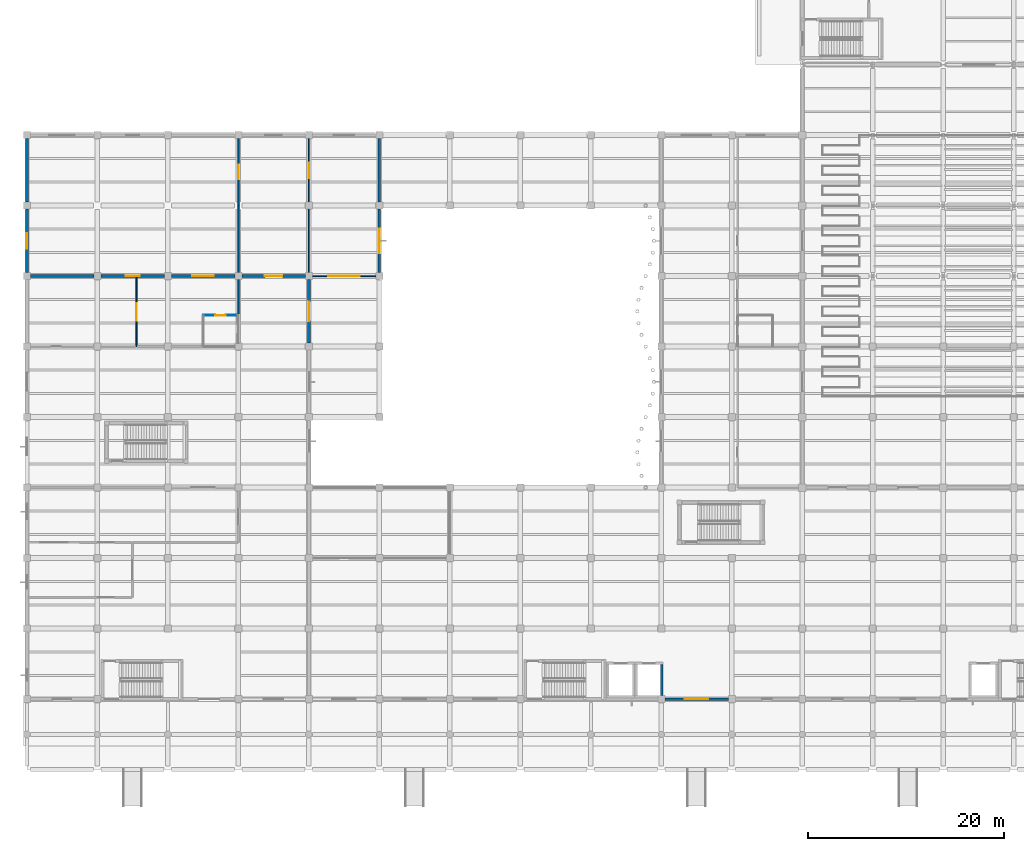
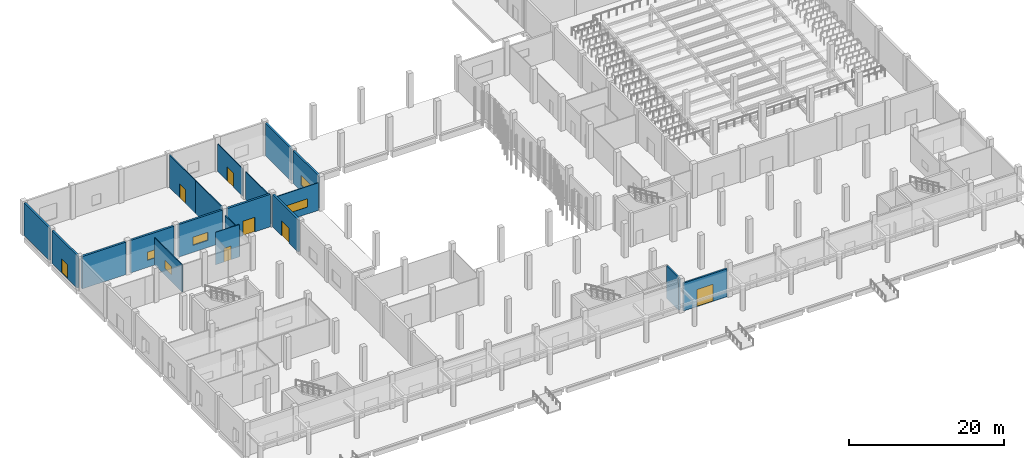
# One storey, part 24 of 46: 19 walls, 7 doors, 5 windows, 12 openings.
"""IFC4 building model written with IfcOpenShell, lengths in metres."""

from ifc_helpers import new_model, si_unit, direction, frame, frame_2d, origin, place, context, subcontext, project, spatial, rectangle, extrude, material, layer, layer_set, type_object, element, fill, save


model = new_model("IFC4")

# Units and contexts
model_context = context("Model", 3, precision=1e-05, world=origin(), true_north=direction((0.0, 1.0)))
body_context = subcontext(model_context, "Body", "Model", "MODEL_VIEW")
ifc_project = project(units=[si_unit("LENGTHUNIT", "METRE"), si_unit("AREAUNIT", "SQUARE_METRE"), si_unit("VOLUMEUNIT", "CUBIC_METRE"), si_unit("PLANEANGLEUNIT", "RADIAN"), si_unit("MASSUNIT", "GRAM", prefix="KILO"), si_unit("THERMODYNAMICTEMPERATUREUNIT", "KELVIN"), si_unit("POWERUNIT", "WATT")], contexts=[model_context])

# Site, building, storey
site_placement = place(None, origin())
site = spatial("IfcSite", under=ifc_project, at=site_placement, CompositionType="ELEMENT")
building_placement = place(site_placement, origin())
building = spatial("IfcBuilding", under=site, at=building_placement, Name="Kaldorven Railside Theatre", CompositionType="ELEMENT")
storey_placement = place(building_placement, origin())
storey = spatial("IfcBuildingStorey", under=building, at=storey_placement, Name="L00", CompositionType="ELEMENT", Elevation=0.0)

# Wall, opening, door
ifc_material_1 = material(Name="Architectural concrete C40/50", Category="concrete")
ifc_layer_1 = layer(ifc_material_1, 0.320068359375, Name="Architectural concrete C40/50")
ifc_layer_set_1 = layer_set([ifc_layer_1], Name="Architectural concrete C40/50")
wall_type_1 = type_object("IfcWallType", Name="WL-EW04", PredefinedType="SOLIDWALL", material=ifc_layer_set_1)
wall_1_placement = place(storey_placement, frame((36.800048828125, 62.050048828125, 0.0), z_axis=(0.0, 0.0, 1.0), x_axis=(0.0, -1.0, 0.0)))
wall_1 = element("IfcWall", 1, at=wall_1_placement, inside=storey, type_object=wall_type_1, Name="V3 L00 Exterior Wall EW-0141", PredefinedType="SOLIDWALL", context=body_context, shape_type="SweptSolid", body=[
    extrude(rectangle(XDim=6.5, YDim=0.320068359375, at=frame_2d((3.25, 0.0))), origin(), (0.0, 0.0, 1.0), 5.1201171875),
])
opening_1_placement = place(wall_1_placement, frame((2.25, 0.0, 0.0)))
opening_1 = element("IfcOpeningElement", 2, at=opening_1_placement, cuts=wall_1, Name="Opening ID-0089", PredefinedType="OPENING", context=body_context, shape_type="SweptSolid", body=[
    extrude(rectangle(XDim=2.0, YDim=2.35009765625, at=frame_2d((1.0, 1.175048828125))), frame((0.0, 0.169921875, 0.0), z_axis=(0.0, -1.0, 0.0), x_axis=(1.0, 0.0, 0.0)), (0.0, 0.0, 1.0), 0.340087890625),
])
ifc_material_2 = material(Name="Acoustic hardwood timber", Category="wood")
door_type_1 = type_object("IfcDoorType", Name="DR-ID-AUD2", OperationType="NOTDEFINED", PredefinedType="DOOR", material=ifc_material_2)
door_1_placement = place(opening_1_placement, origin())
door_1 = element("IfcDoor", 3, at=door_1_placement, inside=storey, type_object=door_type_1, Name="L00 Studio-to-Court-Arcade Portal", OperationType="DOUBLE_DOOR_SINGLE_SWING", OverallHeight=2.35009765625, OverallWidth=2.0, PredefinedType="DOOR", context=body_context, shape_type="SweptSolid", body=[
    extrude(rectangle(XDim=2.0, YDim=2.35009765625, at=frame_2d((1.0, 1.175048828125))), frame((0.0, 0.02490234375, 0.0), z_axis=(0.0, -1.0, 0.0), x_axis=(1.0, 0.0, 0.0)), (0.0, 0.0, 1.0), 0.050048828125),
])
fill(opening_1, door_1)

ifc_layer_2 = layer(ifc_material_1, 0.280029296875, Name="Architectural concrete C40/50")
ifc_layer_set_2 = layer_set([ifc_layer_2], Name="Architectural concrete C40/50")
wall_type_2 = type_object("IfcWallType", Name="WL-EW05", PredefinedType="SOLIDWALL", material=ifc_layer_set_2)
wall_2_placement = place(storey_placement, frame((8.0, 62.75, 0.0), z_axis=(0.0, 0.0, 1.0), x_axis=(0.0, 1.0, 0.0)))
wall_2 = element("IfcWall", 4, at=wall_2_placement, inside=storey, type_object=wall_type_2, Name="V4 L00 Exterior Wall EW-0177", PredefinedType="SOLIDWALL", context=body_context, shape_type="SweptSolid", body=[
    extrude(rectangle(XDim=6.5, YDim=0.280029296875, at=frame_2d((3.25, 0.0))), origin(), (0.0, 0.0, 1.0), 5.14990234375),
])
opening_2_placement = place(wall_2_placement, frame((2.449951171875, 0.0, 0.0)))
opening_2 = element("IfcOpeningElement", 5, at=opening_2_placement, cuts=wall_2, Name="Opening ED-005", PredefinedType="OPENING", context=body_context, shape_type="SweptSolid", body=[
    extrude(rectangle(XDim=1.60009765625, YDim=2.199951171875, at=frame_2d((0.800048828125, 1.10009765625))), frame((0.0, 0.14990234375, 0.0), z_axis=(0.0, -1.0, 0.0), x_axis=(1.0, 0.0, 0.0)), (0.0, 0.0, 1.0), 0.300048828125),
])
ifc_material_3 = material(Name="Anodised bronze aluminium", Category="aluminium")
door_type_2 = type_object("IfcDoorType", Name="DR-ED07", OperationType="NOTDEFINED", PredefinedType="DOOR", material=ifc_material_3)
door_2_placement = place(opening_2_placement, origin())
door_2 = element("IfcDoor", 6, at=door_2_placement, inside=storey, type_object=door_type_2, Name="Main Entrance ED-005", OperationType="DOUBLE_DOOR_SINGLE_SWING", OverallHeight=2.199951171875, OverallWidth=1.60009765625, PredefinedType="DOOR", context=body_context, shape_type="SweptSolid", body=[
    extrude(rectangle(XDim=1.60009765625, YDim=2.199951171875, at=frame_2d((0.800048828125, 1.10009765625))), frame((0.0, 0.02490234375, 0.0), z_axis=(0.0, -1.0, 0.0), x_axis=(1.0, 0.0, 0.0)), (0.0, 0.0, 1.0), 0.050048828125),
])
fill(opening_2, door_2)

# Walls
for number, where, z_axis, x_axis, name in (
    (7, (8.0, 69.949951171875, 0.0), (0.0, 0.0, 1.0), (0.0, 1.0, 0.0), "V4 L00 Exterior Wall EW-0178"),
    (8, (44.0, 76.449951171875, 0.0), (0.0, 0.0, 1.0), (0.0, -1.0, 0.0), "V4 L00 Exterior Wall EW-0184"),
):
    element("IfcWall", number, at=place(storey_placement, frame(where, z_axis=z_axis, x_axis=x_axis)), inside=storey, type_object=wall_type_2, Name=name, PredefinedType="SOLIDWALL", context=body_context, shape_type="SweptSolid", body=[
        extrude(rectangle(XDim=6.5, YDim=0.280029296875, at=frame_2d((3.25, 0.0))), origin(), (0.0, 0.0, 1.0), 5.14990234375),
    ])

# Wall, opening, window
wall_3_placement = place(storey_placement, frame((44.0, 69.25, 0.0), z_axis=(0.0, 0.0, 1.0), x_axis=(0.0, -1.0, 0.0)))
wall_3 = element("IfcWall", 9, at=wall_3_placement, inside=storey, type_object=wall_type_2, Name="V4 L00 Exterior Wall EW-0185", PredefinedType="SOLIDWALL", context=body_context, shape_type="SweptSolid", body=[
    extrude(rectangle(XDim=6.5, YDim=0.280029296875, at=frame_2d((3.25, 0.0))), origin(), (0.0, 0.0, 1.0), 5.14990234375),
])
opening_3_placement = place(wall_3_placement, frame((2.0, 0.0, 0.89990234375)))
opening_3 = element("IfcOpeningElement", 10, at=opening_3_placement, cuts=wall_3, Name="Opening WN-024", PredefinedType="OPENING", context=body_context, shape_type="SweptSolid", body=[
    extrude(rectangle(XDim=2.5, YDim=1.60009765625, at=frame_2d((1.25, 0.800048828125))), frame((0.0, 0.14990234375, 0.0), z_axis=(0.0, -1.0, 0.0), x_axis=(1.0, 0.0, 0.0)), (0.0, 0.0, 1.0), 0.300048828125),
])
ifc_material_4 = material(Name="Low-E laminated solar-control glass", Category="glass")
window_type_1 = type_object("IfcWindowType", Name="WN-EW24", PartitioningType="SINGLE_PANEL", PredefinedType="WINDOW", material=ifc_material_4)
window_1_placement = place(opening_3_placement, origin())
window_1 = element("IfcWindow", 11, at=window_1_placement, inside=storey, type_object=window_type_1, Name="Shaded Acoustic Exterior Window WN-024", OverallHeight=1.60009765625, OverallWidth=2.5, PartitioningType="SINGLE_PANEL", PredefinedType="WINDOW", context=body_context, shape_type="SweptSolid", body=[
    extrude(rectangle(XDim=2.5, YDim=1.60009765625, at=frame_2d((1.25, 0.800048828125))), frame((0.0, 0.030029296875, 0.0), z_axis=(0.0, -1.0, 0.0), x_axis=(1.0, 0.0, 0.0)), (0.0, 0.0, 1.0), 0.06005859375),
])
fill(opening_3, window_1)

# Wall, opening, door
ifc_material_5 = material(Name="Precast concrete C40/50", Category="concrete")
ifc_layer_3 = layer(ifc_material_5, 0.25, Name="Precast concrete C40/50")
ifc_layer_set_3 = layer_set([ifc_layer_3], Name="Precast concrete C40/50")
wall_type_3 = type_object("IfcWallType", Name="WL-EW06", PredefinedType="SOLIDWALL", material=ifc_layer_set_3)
wall_4_placement = place(storey_placement, frame((79.64990234375, 19.199951171875, 0.0), z_axis=(0.0, 0.0, 1.0), x_axis=(-1.0, 0.0, 0.0)))
wall_4 = element("IfcWall", 12, at=wall_4_placement, inside=storey, type_object=wall_type_3, Name="V5 L00 Exterior Wall EW-0200", PredefinedType="SOLIDWALL", context=body_context, shape_type="SweptSolid", body=[
    extrude(rectangle(XDim=6.5, YDim=0.25, at=frame_2d((3.25, 0.0))), origin(), (0.0, 0.0, 1.0), 4.39501953125),
])
opening_4_placement = place(wall_4_placement, frame((2.050048828125, 0.0, 0.0)))
opening_4 = element("IfcOpeningElement", 13, at=opening_4_placement, cuts=wall_4, Name="Opening ED-009", PredefinedType="OPENING", context=body_context, shape_type="SweptSolid", body=[
    extrude(rectangle(XDim=2.39990234375, YDim=2.699951171875, at=frame_2d((1.199951171875, 1.35009765625))), frame((0.0, 0.135009765625, 0.0), z_axis=(0.0, -1.0, 0.0), x_axis=(1.0, 0.0, 0.0)), (0.0, 0.0, 1.0), 0.27001953125),
])
ifc_material_6 = material(Name="Powder-coated hollow-metal steel", Category="steel")
door_type_3 = type_object("IfcDoorType", Name="DR-ED11", OperationType="NOTDEFINED", PredefinedType="DOOR", material=ifc_material_6)
door_3_placement = place(opening_4_placement, origin())
door_3 = element("IfcDoor", 14, at=door_3_placement, inside=storey, type_object=door_type_3, Name="Pedestrian Final Exit ED-009", OperationType="DOUBLE_DOOR_SINGLE_SWING", OverallHeight=2.699951171875, OverallWidth=2.39990234375, PredefinedType="DOOR", context=body_context, shape_type="SweptSolid", body=[
    extrude(rectangle(XDim=2.39990234375, YDim=2.699951171875, at=frame_2d((1.199951171875, 1.35009765625))), frame((0.0, 0.02490234375, 0.0), z_axis=(0.0, -1.0, 0.0), x_axis=(1.0, 0.0, 0.0)), (0.0, 0.0, 1.0), 0.050048828125),
])
fill(opening_4, door_3)

# Walls
ifc_material_7 = material(Name="Acoustic gypsum board")
ifc_layer_4 = layer(ifc_material_7, 0.14990234375, Name="Acoustic gypsum board")
ifc_layer_set_4 = layer_set([ifc_layer_4], Name="Acoustic gypsum board")
wall_type_4 = type_object("IfcWallType", Name="WL-IW-AC1", PredefinedType="PARTITIONING", material=ifc_layer_set_4)
wall_5_placement = place(storey_placement, frame((29.60009765625, 62.050048828125, 0.0), z_axis=(0.0, 0.0, 1.0), x_axis=(0.0, -1.0, 0.0)))
element("IfcWall", 15, at=wall_5_placement, inside=storey, type_object=wall_type_4, Name="L00 Interior Wall IW-0466", PredefinedType="PARTITIONING", context=body_context, shape_type="SweptSolid", body=[
    extrude(rectangle(XDim=3.650146484375, YDim=0.14990234375, at=frame_2d((1.8251953125, 0.0))), origin(), (0.0, 0.0, 1.0), 4.31494140625),
])
wall_6_placement = place(storey_placement, frame((29.60009765625, 62.75, 0.0), z_axis=(0.0, 0.0, 1.0), x_axis=(0.0, 1.0, 0.0)))
element("IfcWall", 16, at=wall_6_placement, inside=storey, type_object=wall_type_4, Name="L00 Interior Wall IW-0467", PredefinedType="PARTITIONING", context=body_context, shape_type="SweptSolid", body=[
    extrude(rectangle(XDim=6.85009765625, YDim=0.14990234375, at=frame_2d((3.425048828125, 0.0))), origin(), (0.0, 0.0, 1.0), 5.14990234375),
])

# Wall, opening, door
wall_7_placement = place(storey_placement, frame((29.60009765625, 69.60009765625, 0.0), z_axis=(0.0, 0.0, 1.0), x_axis=(0.0, 1.0, 0.0)))
wall_7 = element("IfcWall", 17, at=wall_7_placement, inside=storey, type_object=wall_type_4, Name="L00 Interior Wall IW-0468", PredefinedType="PARTITIONING", context=body_context, shape_type="SweptSolid", body=[
    extrude(rectangle(XDim=6.849853515625, YDim=0.14990234375, at=frame_2d((3.4248046875, 0.0))), origin(), (0.0, 0.0, 1.0), 5.14990234375),
])
opening_5_placement = place(wall_7_placement, frame((2.675048828125, 0.0, 0.0)))
opening_5 = element("IfcOpeningElement", 18, at=opening_5_placement, cuts=wall_7, Name="Opening ID-0106", PredefinedType="OPENING", context=body_context, shape_type="SweptSolid", body=[
    extrude(rectangle(XDim=1.5, YDim=2.199951171875, at=frame_2d((0.75, 1.10009765625))), frame((0.0, 0.0849609375, 0.0), z_axis=(0.0, -1.0, 0.0), x_axis=(1.0, 0.0, 0.0)), (0.0, 0.0, 1.0), 0.169921875),
])
door_type_4 = type_object("IfcDoorType", Name="DR-ID-REH2", OperationType="NOTDEFINED", PredefinedType="DOOR", material=ifc_material_2)
door_4_placement = place(opening_5_placement, origin())
door_4 = element("IfcDoor", 19, at=door_4_placement, inside=storey, type_object=door_type_4, Name="Black-Box Theatre Entry Door", OperationType="DOUBLE_DOOR_SINGLE_SWING", OverallHeight=2.199951171875, OverallWidth=1.5, PredefinedType="DOOR", context=body_context, shape_type="SweptSolid", body=[
    extrude(rectangle(XDim=1.5, YDim=2.199951171875, at=frame_2d((0.75, 1.10009765625))), frame((0.0, 0.02490234375, 0.0), z_axis=(0.0, -1.0, 0.0), x_axis=(1.0, 0.0, 0.0)), (0.0, 0.0, 1.0), 0.050048828125),
])
fill(opening_5, door_4)

# Wall
ifc_material_8 = material(Name="Concrete C40/50", Category="concrete")
ifc_layer_5 = layer(ifc_material_8, 0.300048828125, Name="Concrete C40/50")
ifc_layer_set_5 = layer_set([ifc_layer_5], Name="Concrete C40/50")
wall_type_5 = type_object("IfcWallType", Name="WL-IW-CORE", PredefinedType="SHEAR", material=ifc_layer_set_5)
wall_8_placement = place(storey_placement, frame((8.35009765625, 62.39990234375, 0.0), z_axis=(0.0, 0.0, 1.0), x_axis=(1.0, 0.0, 0.0)))
element("IfcWall", 20, at=wall_8_placement, inside=storey, type_object=wall_type_5, Name="L00 Interior Wall AW-0388", PredefinedType="SHEAR", context=body_context, shape_type="SweptSolid", body=[
    extrude(rectangle(XDim=6.5, YDim=0.300048828125, at=frame_2d((3.25, 0.0))), origin(), (0.0, 0.0, 1.0), 5.1201171875),
])

# Wall, opening, window
wall_9_placement = place(storey_placement, frame((15.550048828125, 62.39990234375, 0.0), z_axis=(0.0, 0.0, 1.0), x_axis=(1.0, 0.0, 0.0)))
wall_9 = element("IfcWall", 21, at=wall_9_placement, inside=storey, type_object=wall_type_5, Name="L00 Interior Wall AW-0389", PredefinedType="SHEAR", context=body_context, shape_type="SweptSolid", body=[
    extrude(rectangle(XDim=6.5, YDim=0.300048828125, at=frame_2d((3.25, 0.0))), origin(), (0.0, 0.0, 1.0), 5.1201171875),
])
opening_6_placement = place(wall_9_placement, frame((2.550048828125, 0.0, 1.10009765625)))
opening_6 = element("IfcOpeningElement", 22, at=opening_6_placement, cuts=wall_9, Name="Opening IWN-005", PredefinedType="OPENING", context=body_context, shape_type="SweptSolid", body=[
    extrude(rectangle(XDim=1.39990234375, YDim=1.300048828125, at=frame_2d((0.699951171875, 0.64990234375))), frame((0.0, 0.16015625, 0.0), z_axis=(0.0, -1.0, 0.0), x_axis=(1.0, 0.0, 0.0)), (0.0, 0.0, 1.0), 0.320068359375),
])
window_type_2 = type_object("IfcWindowType", Name="WN-IW05", PartitioningType="SINGLE_PANEL", PredefinedType="WINDOW", material=ifc_material_4)
window_2_placement = place(opening_6_placement, origin())
window_2 = element("IfcWindow", 23, at=window_2_placement, inside=storey, type_object=window_type_2, Name="Acoustic Observation Window IWN-005", OverallHeight=1.300048828125, OverallWidth=1.39990234375, PartitioningType="SINGLE_PANEL", PredefinedType="WINDOW", context=body_context, shape_type="SweptSolid", body=[
    extrude(rectangle(XDim=1.39990234375, YDim=1.300048828125, at=frame_2d((0.699951171875, 0.64990234375))), frame((0.0, 0.030029296875, 0.0), z_axis=(0.0, -1.0, 0.0), x_axis=(1.0, 0.0, 0.0)), (0.0, 0.0, 1.0), 0.06005859375),
])
fill(opening_6, window_2)

wall_10_placement = place(storey_placement, frame((22.75, 62.39990234375, 0.0), z_axis=(0.0, 0.0, 1.0), x_axis=(1.0, 0.0, 0.0)))
wall_10 = element("IfcWall", 24, at=wall_10_placement, inside=storey, type_object=wall_type_5, Name="L00 Interior Wall AW-0390", PredefinedType="SHEAR", context=body_context, shape_type="SweptSolid", body=[
    extrude(rectangle(XDim=6.5, YDim=0.300048828125, at=frame_2d((3.25, 0.0))), origin(), (0.0, 0.0, 1.0), 5.1201171875),
])
opening_7_placement = place(wall_10_placement, frame((2.14990234375, 0.0, 1.10009765625)))
opening_7 = element("IfcOpeningElement", 25, at=opening_7_placement, cuts=wall_10, Name="Opening IWN-007", PredefinedType="OPENING", context=body_context, shape_type="SweptSolid", body=[
    extrude(rectangle(XDim=2.199951171875, YDim=1.300048828125, at=frame_2d((1.10009765625, 0.64990234375))), frame((0.0, 0.16015625, 0.0), z_axis=(0.0, -1.0, 0.0), x_axis=(1.0, 0.0, 0.0)), (0.0, 0.0, 1.0), 0.320068359375),
])
window_type_3 = type_object("IfcWindowType", Name="WN-IW07", PartitioningType="SINGLE_PANEL", PredefinedType="WINDOW", material=ifc_material_4)
window_3_placement = place(opening_7_placement, origin())
window_3 = element("IfcWindow", 26, at=window_3_placement, inside=storey, type_object=window_type_3, Name="Acoustic Observation Window IWN-007", OverallHeight=1.300048828125, OverallWidth=2.199951171875, PartitioningType="SINGLE_PANEL", PredefinedType="WINDOW", context=body_context, shape_type="SweptSolid", body=[
    extrude(rectangle(XDim=2.199951171875, YDim=1.300048828125, at=frame_2d((1.10009765625, 0.64990234375))), frame((0.0, 0.030029296875, 0.0), z_axis=(0.0, -1.0, 0.0), x_axis=(1.0, 0.0, 0.0)), (0.0, 0.0, 1.0), 0.06005859375),
])
fill(opening_7, window_3)

# Wall, opening, door
wall_11_placement = place(storey_placement, frame((29.949951171875, 62.39990234375, 0.0), z_axis=(0.0, 0.0, 1.0), x_axis=(1.0, 0.0, 0.0)))
wall_11 = element("IfcWall", 27, at=wall_11_placement, inside=storey, type_object=wall_type_5, Name="L00 Interior Wall AW-0391", PredefinedType="SHEAR", context=body_context, shape_type="SweptSolid", body=[
    extrude(rectangle(XDim=6.5, YDim=0.300048828125, at=frame_2d((3.25, 0.0))), origin(), (0.0, 0.0, 1.0), 5.1201171875),
])
opening_8_placement = place(wall_11_placement, frame((2.35009765625, 0.0, 0.0)))
opening_8 = element("IfcOpeningElement", 28, at=opening_8_placement, cuts=wall_11, Name="Opening ID-0087", PredefinedType="OPENING", context=body_context, shape_type="SweptSolid", body=[
    extrude(rectangle(XDim=1.800048828125, YDim=2.300048828125, at=frame_2d((0.89990234375, 1.14990234375))), frame((0.0, 0.16015625, 0.0), z_axis=(0.0, -1.0, 0.0), x_axis=(1.0, 0.0, 0.0)), (0.0, 0.0, 1.0), 0.320068359375),
])
door_type_5 = type_object("IfcDoorType", Name="DR-ID-SL60", OperationType="NOTDEFINED", PredefinedType="DOOR", material=ifc_material_2)
door_5_placement = place(opening_8_placement, origin())
door_5 = element("IfcDoor", 29, at=door_5_placement, inside=storey, type_object=door_type_5, Name="L00 Studio-to-Black-Box Corridor Door", OperationType="DOUBLE_DOOR_SINGLE_SWING", OverallHeight=2.300048828125, OverallWidth=1.800048828125, PredefinedType="DOOR", context=body_context, shape_type="SweptSolid", body=[
    extrude(rectangle(XDim=1.800048828125, YDim=2.300048828125, at=frame_2d((0.89990234375, 1.14990234375))), frame((0.0, 0.02490234375, 0.0), z_axis=(0.0, -1.0, 0.0), x_axis=(1.0, 0.0, 0.0)), (0.0, 0.0, 1.0), 0.050048828125),
])
fill(opening_8, door_5)

# Wall, opening, window
ifc_material_9 = material(Name="Fire-rated acoustic gypsum board")
ifc_layer_6 = layer(ifc_material_9, 0.1201171875, Name="Fire-rated acoustic gypsum board")
ifc_layer_set_6 = layer_set([ifc_layer_6], Name="Fire-rated acoustic gypsum board")
wall_type_6 = type_object("IfcWallType", Name="WL-IW-PT1", PredefinedType="PARTITIONING", material=ifc_layer_set_6)
wall_12_placement = place(storey_placement, frame((19.199951171875, 55.199951171875, 0.0), z_axis=(0.0, 0.0, 1.0), x_axis=(0.0, 1.0, 0.0)))
wall_12 = element("IfcWall", 30, at=wall_12_placement, inside=storey, type_object=wall_type_6, Name="L00 Interior Wall IW-0456", PredefinedType="PARTITIONING", context=body_context, shape_type="SweptSolid", body=[
    extrude(rectangle(XDim=7.048095703125, YDim=0.1201171875, at=frame_2d((3.52392578125, 0.0))), origin(), (0.0, 0.0, 1.0), 4.31494140625),
])
opening_9_placement = place(wall_12_placement, frame((2.6240234375, 0.0, 1.10009765625)))
opening_9 = element("IfcOpeningElement", 31, at=opening_9_placement, cuts=wall_12, Name="Opening IWN-006", PredefinedType="OPENING", context=body_context, shape_type="SweptSolid", body=[
    extrude(rectangle(XDim=1.800048828125, YDim=1.300048828125, at=frame_2d((0.89990234375, 0.64990234375))), frame((0.0, 0.070068359375, 0.0), z_axis=(0.0, -1.0, 0.0), x_axis=(1.0, 0.0, 0.0)), (0.0, 0.0, 1.0), 0.14013671875),
])
window_type_4 = type_object("IfcWindowType", Name="WN-IW06", PartitioningType="SINGLE_PANEL", PredefinedType="WINDOW", material=ifc_material_4)
window_4_placement = place(opening_9_placement, origin())
window_4 = element("IfcWindow", 32, at=window_4_placement, inside=storey, type_object=window_type_4, Name="Acoustic Observation Window IWN-006", OverallHeight=1.300048828125, OverallWidth=1.800048828125, PartitioningType="SINGLE_PANEL", PredefinedType="WINDOW", context=body_context, shape_type="SweptSolid", body=[
    extrude(rectangle(XDim=1.800048828125, YDim=1.300048828125, at=frame_2d((0.89990234375, 0.64990234375))), frame((0.0, 0.030029296875, 0.0), z_axis=(0.0, -1.0, 0.0), x_axis=(1.0, 0.0, 0.0)), (0.0, 0.0, 1.0), 0.06005859375),
])
fill(opening_9, window_4)

# Wall, opening, door
wall_13_placement = place(storey_placement, frame((36.800048828125, 76.449951171875, 0.0), z_axis=(0.0, 0.0, 1.0), x_axis=(0.0, -1.0, 0.0)))
wall_13 = element("IfcWall", 33, at=wall_13_placement, inside=storey, type_object=wall_type_6, Name="L00 Interior Wall IW-0469", PredefinedType="PARTITIONING", context=body_context, shape_type="SweptSolid", body=[
    extrude(rectangle(XDim=6.5, YDim=0.1201171875, at=frame_2d((3.25, 0.0))), origin(), (0.0, 0.0, 1.0), 4.344970703125),
])
opening_10_placement = place(wall_13_placement, frame((2.449951171875, 0.0, 0.0)))
opening_10 = element("IfcOpeningElement", 34, at=opening_10_placement, cuts=wall_13, Name="Opening ID-0107", PredefinedType="OPENING", context=body_context, shape_type="SweptSolid", body=[
    extrude(rectangle(XDim=1.60009765625, YDim=2.25, at=frame_2d((0.800048828125, 1.125))), frame((0.0, 0.070068359375, 0.0), z_axis=(0.0, -1.0, 0.0), x_axis=(1.0, 0.0, 0.0)), (0.0, 0.0, 1.0), 0.14013671875),
])
door_type_6 = type_object("IfcDoorType", Name="DR-ID-REH1", OperationType="NOTDEFINED", PredefinedType="DOOR", material=ifc_material_2)
door_6_placement = place(opening_10_placement, origin())
door_6 = element("IfcDoor", 35, at=door_6_placement, inside=storey, type_object=door_type_6, Name="Youth Drama Studio Entry Door", OperationType="DOUBLE_DOOR_SINGLE_SWING", OverallHeight=2.25, OverallWidth=1.60009765625, PredefinedType="DOOR", context=body_context, shape_type="SweptSolid", body=[
    extrude(rectangle(XDim=1.60009765625, YDim=2.25, at=frame_2d((0.800048828125, 1.125))), frame((0.0, 0.02490234375, 0.0), z_axis=(0.0, -1.0, 0.0), x_axis=(1.0, 0.0, 0.0)), (0.0, 0.0, 1.0), 0.050048828125),
])
fill(opening_10, door_6)

# Wall
wall_14_placement = place(storey_placement, frame((36.800048828125, 69.25, 0.0), z_axis=(0.0, 0.0, 1.0), x_axis=(0.0, -1.0, 0.0)))
element("IfcWall", 36, at=wall_14_placement, inside=storey, type_object=wall_type_6, Name="L00 Interior Wall IW-0470", PredefinedType="PARTITIONING", context=body_context, shape_type="SweptSolid", body=[
    extrude(rectangle(XDim=6.5, YDim=0.1201171875, at=frame_2d((3.25, 0.0))), origin(), (0.0, 0.0, 1.0), 4.344970703125),
])

# Wall, opening, window
wall_15_placement = place(storey_placement, frame((37.14990234375, 62.39990234375, 0.0), z_axis=(0.0, 0.0, 1.0), x_axis=(1.0, 0.0, 0.0)))
wall_15 = element("IfcWall", 37, at=wall_15_placement, inside=storey, type_object=wall_type_6, Name="L00 Interior Wall IW-0471", PredefinedType="PARTITIONING", context=body_context, shape_type="SweptSolid", body=[
    extrude(rectangle(XDim=6.5, YDim=0.1201171875, at=frame_2d((3.25, 0.0))), origin(), (0.0, 0.0, 1.0), 4.344970703125),
])
opening_11_placement = place(wall_15_placement, frame((1.64990234375, 0.0, 1.10009765625)))
opening_11 = element("IfcOpeningElement", 38, at=opening_11_placement, cuts=wall_15, Name="Opening IWN-008", PredefinedType="OPENING", context=body_context, shape_type="SweptSolid", body=[
    extrude(rectangle(XDim=3.199951171875, YDim=1.300048828125, at=frame_2d((1.60009765625, 0.64990234375))), frame((0.0, 0.070068359375, 0.0), z_axis=(0.0, -1.0, 0.0), x_axis=(1.0, 0.0, 0.0)), (0.0, 0.0, 1.0), 0.14013671875),
])
window_type_5 = type_object("IfcWindowType", Name="WN-IW08", PartitioningType="SINGLE_PANEL", PredefinedType="WINDOW", material=ifc_material_4)
window_5_placement = place(opening_11_placement, origin())
window_5 = element("IfcWindow", 39, at=window_5_placement, inside=storey, type_object=window_type_5, Name="Acoustic Observation Window IWN-008", OverallHeight=1.300048828125, OverallWidth=3.199951171875, PartitioningType="SINGLE_PANEL", PredefinedType="WINDOW", context=body_context, shape_type="SweptSolid", body=[
    extrude(rectangle(XDim=3.199951171875, YDim=1.300048828125, at=frame_2d((1.60009765625, 0.64990234375))), frame((0.0, 0.030029296875, 0.0), z_axis=(0.0, -1.0, 0.0), x_axis=(1.0, 0.0, 0.0)), (0.0, 0.0, 1.0), 0.06005859375),
])
fill(opening_11, window_5)

# Wall, opening, door
ifc_layer_7 = layer(ifc_material_9, 0.10009765625, Name="Fire-rated acoustic gypsum board")
ifc_layer_set_7 = layer_set([ifc_layer_7], Name="Fire-rated acoustic gypsum board")
wall_type_7 = type_object("IfcWallType", Name="WL-IW-PT2", PredefinedType="PARTITIONING", material=ifc_layer_set_7)
wall_16_placement = place(storey_placement, frame((29.548095703125, 58.39990234375, 0.0), z_axis=(0.0, 0.0, 1.0), x_axis=(-1.0, 0.0, 0.0)))
wall_16 = element("IfcWall", 40, at=wall_16_placement, inside=storey, type_object=wall_type_7, Name="L00 Interior Wall IW-0461", PredefinedType="PARTITIONING", context=body_context, shape_type="SweptSolid", body=[
    extrude(rectangle(XDim=3.548095703125, YDim=0.10009765625, at=frame_2d((1.77392578125, 0.0))), origin(), (0.0, 0.0, 1.0), 5.1201171875),
])
opening_12_placement = place(wall_16_placement, frame((1.22412109375, 0.0, 0.0)))
opening_12 = element("IfcOpeningElement", 41, at=opening_12_placement, cuts=wall_16, Name="Opening ID-0105", PredefinedType="OPENING", context=body_context, shape_type="SweptSolid", body=[
    extrude(rectangle(XDim=1.10009765625, YDim=2.14990234375, at=frame_2d((0.550048828125, 1.074951171875))), frame((0.0, 0.06005859375, 0.0), z_axis=(0.0, -1.0, 0.0), x_axis=(1.0, 0.0, 0.0)), (0.0, 0.0, 1.0), 0.1201171875),
])
door_type_7 = type_object("IfcDoorType", Name="DR-ID-FD60", OperationType="NOTDEFINED", PredefinedType="DOOR", material=ifc_material_2)
door_7_placement = place(opening_12_placement, origin())
door_7 = element("IfcDoor", 42, at=door_7_placement, inside=storey, type_object=door_type_7, Name="Studio Cleaner's and Linen Store Entry Door", OperationType="SINGLE_SWING_RIGHT", OverallHeight=2.14990234375, OverallWidth=1.10009765625, PredefinedType="DOOR", context=body_context, shape_type="SweptSolid", body=[
    extrude(rectangle(XDim=1.10009765625, YDim=2.14990234375, at=frame_2d((0.550048828125, 1.074951171875))), frame((0.0, 0.02490234375, 0.0), z_axis=(0.0, -1.0, 0.0), x_axis=(1.0, 0.0, 0.0)), (0.0, 0.0, 1.0), 0.050048828125),
])
fill(opening_12, door_7)

# Wall
ifc_layer_8 = layer(ifc_material_8, 0.239990234375, Name="Concrete C40/50")
ifc_layer_set_8 = layer_set([ifc_layer_8], Name="Concrete C40/50")
wall_type_8 = type_object("IfcWallType", Name="WL-IW-SHAFT", PredefinedType="SHEAR", material=ifc_layer_set_8)
wall_17_placement = place(storey_placement, frame((72.85009765625, 22.72802734375, 0.0), z_axis=(0.0, 0.0, 1.0), x_axis=(0.0, -1.0, 0.0)))
element("IfcWall", 43, at=wall_17_placement, inside=storey, type_object=wall_type_8, Name="L00 Interior Wall SW-0076", PredefinedType="SHEAR", context=body_context, shape_type="SweptSolid", body=[
    extrude(rectangle(XDim=3.157958984375, YDim=0.239990234375, at=frame_2d((1.5791015625, 0.0))), origin(), (0.0, 0.0, 1.0), 5.10009765625),
])

save(model, "model.ifc")
